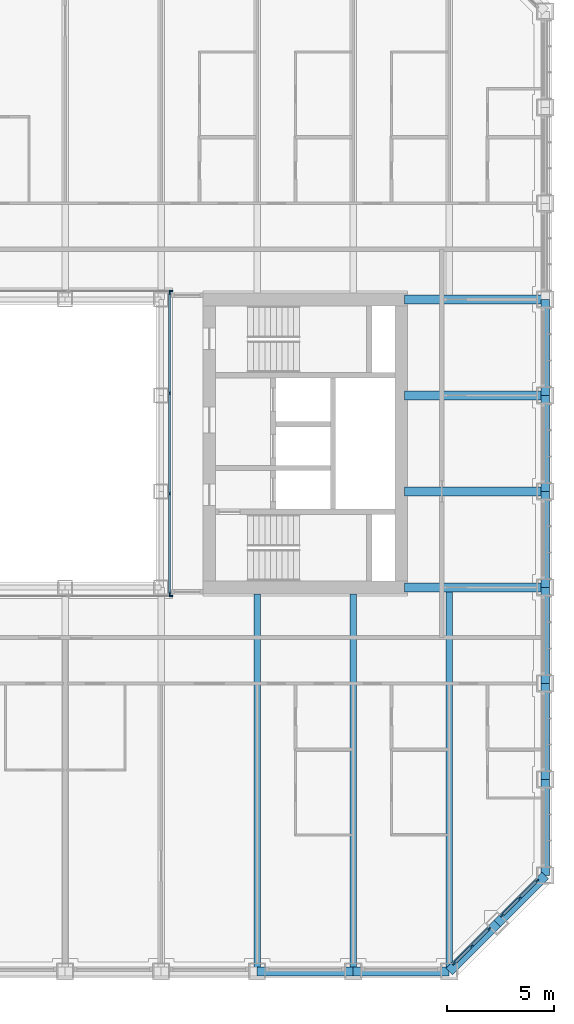
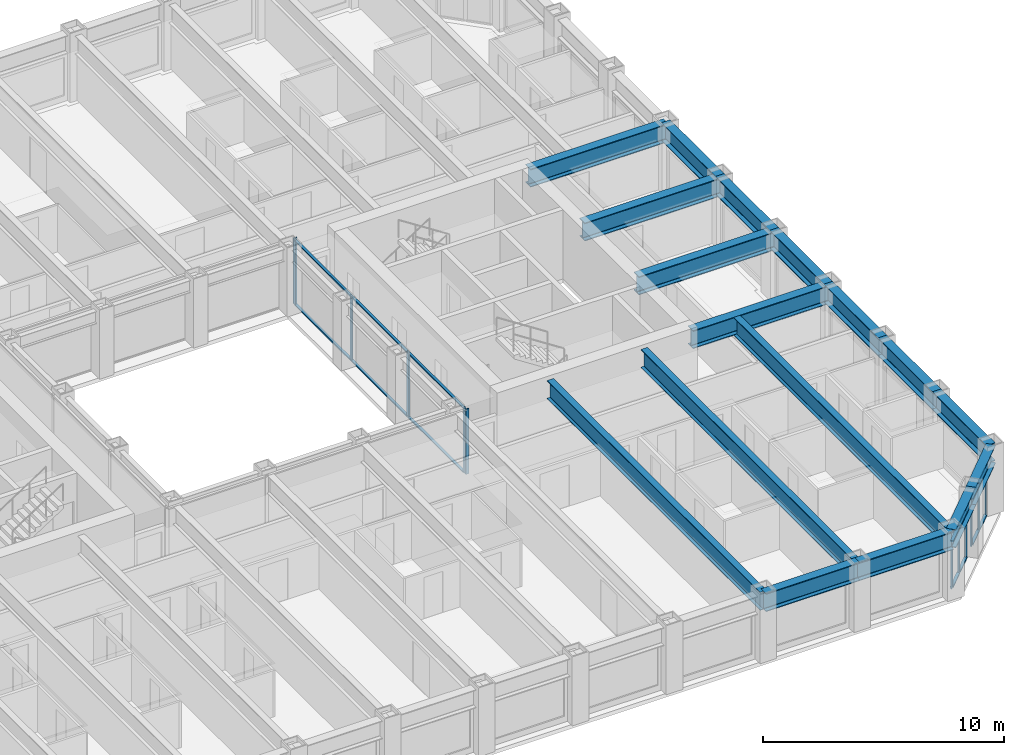
# One storey, part 5 of 21: 26 members, 17 beams, 5 elements without a shape of their own.
"""IFC4 building model written with IfcOpenShell, lengths in metres."""

from ifc_helpers import new_model, si_unit, direction, frame, origin, origin_2d, place, context, subcontext, project, spatial, rectangle, i_section, extrude, material, material_profile, profile_set, type_object, element, aggregate, save


model = new_model("IFC4")

# Units and contexts
model_context = context("Model", 3, precision=1e-05, world=origin(), true_north=direction((0.0, 1.0)))
body_context = subcontext(model_context, "Body", "Model", "MODEL_VIEW")
ifc_project = project(units=[si_unit("LENGTHUNIT", "METRE"), si_unit("AREAUNIT", "SQUARE_METRE"), si_unit("VOLUMEUNIT", "CUBIC_METRE"), si_unit("PLANEANGLEUNIT", "RADIAN"), si_unit("MASSUNIT", "GRAM", prefix="KILO")], contexts=[model_context])

# Site, building, storey
site_placement = place(None, origin())
site = spatial("IfcSite", under=ifc_project, at=site_placement, CompositionType="ELEMENT")
building_placement = place(site_placement, origin())
building = spatial("IfcBuilding", under=site, at=building_placement, Name="Msasa Ring Tower", CompositionType="ELEMENT")
storey_placement = place(building_placement, frame((0.0, 0.0, 86.0)))
storey = spatial("IfcBuildingStorey", under=building, at=storey_placement, Name="L22", CompositionType="ELEMENT", Elevation=86.0)

# Curtain wall, members
ifc_material_1 = material(Name="Aluminium curtain wall with clear glass", Category="aluminium")
curtain_wall_type_1 = type_object("IfcCurtainWallType", Name="CW-C CHAMFER CORNER CURTAIN WALL", PredefinedType="NOTDEFINED", material=ifc_material_1)
curtain_wall_1_placement = place(storey_placement, origin())
curtain_wall_1 = element("IfcCurtainWall", 1, at=curtain_wall_1_placement, inside=storey, type_object=curtain_wall_type_1, Name="Chamfer corner curtain wall SE L22", PredefinedType="NOTDEFINED")
ifc_material_2 = material(Name="Aluminium mullion", Category="aluminium")
ifc_material_profile_1 = material_profile(ifc_material_2, rectangle(XDim=0.06494140625, YDim=0.179931640625, at=origin_2d()), Name="AL 65x180")
ifc_profile_set_1 = profile_set([ifc_material_profile_1], Name="Aluminium mullion")
member_type_1 = type_object("IfcMemberType", Name="CW-C MULLION 65x180", PredefinedType="MULLION", material=ifc_profile_set_1)
member_1_placement = place(storey_placement, frame((20.48876953125, -24.369873046875, 0.0), z_axis=(0.0, 0.0, 1.0), x_axis=(-0.707106781187, 0.707106781187, 0.0)))
member_1 = element("IfcMember", 2, at=member_1_placement, type_object=member_type_1, Name="CW-C mullion 1", PredefinedType="MULLION", context=body_context, shape_type="SweptSolid", body=[
    extrude(rectangle(XDim=0.06494140625, YDim=0.179931640625, at=origin_2d()), origin(), (0.0, 0.0, 1.0), 2.37890625),
])
member_2_placement = place(storey_placement, frame((21.30419921875, -23.55419921875, 0.0), z_axis=(0.0, 0.0, 1.0), x_axis=(-0.707106781187, 0.707106781187, 0.0)))
member_2 = element("IfcMember", 3, at=member_2_placement, type_object=member_type_1, Name="CW-C mullion 2", PredefinedType="MULLION", context=body_context, shape_type="SweptSolid", body=[
    extrude(rectangle(XDim=0.06494140625, YDim=0.179931640625, at=origin_2d()), origin(), (0.0, 0.0, 1.0), 2.37890625),
])
member_3_placement = place(storey_placement, frame((22.119873046875, -22.73876953125, 0.0), z_axis=(0.0, 0.0, 1.0), x_axis=(-0.707106781187, 0.707106781187, 0.0)))
member_3 = element("IfcMember", 4, at=member_3_placement, type_object=member_type_1, Name="CW-C mullion 3", PredefinedType="MULLION", context=body_context, shape_type="SweptSolid", body=[
    extrude(rectangle(XDim=0.06494140625, YDim=0.179931640625, at=origin_2d()), origin(), (0.0, 0.0, 1.0), 2.37890625),
])

curtain_wall_2_placement = place(storey_placement, origin())
curtain_wall_2 = element("IfcCurtainWall", 5, at=curtain_wall_2_placement, inside=storey, type_object=curtain_wall_type_1, Name="Chamfer corner curtain wall SE L22", PredefinedType="NOTDEFINED")
member_4_placement = place(storey_placement, frame((22.73876953125, -22.119873046875, 0.0), z_axis=(0.0, 0.0, 1.0), x_axis=(-0.707106781187, 0.707106781187, 0.0)))
member_4 = element("IfcMember", 6, at=member_4_placement, type_object=member_type_1, Name="CW-C mullion 1", PredefinedType="MULLION", context=body_context, shape_type="SweptSolid", body=[
    extrude(rectangle(XDim=0.06494140625, YDim=0.179931640625, at=origin_2d()), origin(), (0.0, 0.0, 1.0), 2.37890625),
])
member_5_placement = place(storey_placement, frame((23.55419921875, -21.30419921875, 0.0), z_axis=(0.0, 0.0, 1.0), x_axis=(-0.707106781187, 0.707106781187, 0.0)))
member_5 = element("IfcMember", 7, at=member_5_placement, type_object=member_type_1, Name="CW-C mullion 2", PredefinedType="MULLION", context=body_context, shape_type="SweptSolid", body=[
    extrude(rectangle(XDim=0.06494140625, YDim=0.179931640625, at=origin_2d()), origin(), (0.0, 0.0, 1.0), 2.37890625),
])
member_6_placement = place(storey_placement, frame((24.369873046875, -20.48876953125, 0.0), z_axis=(0.0, 0.0, 1.0), x_axis=(-0.707106781187, 0.707106781187, 0.0)))
member_6 = element("IfcMember", 8, at=member_6_placement, type_object=member_type_1, Name="CW-C mullion 3", PredefinedType="MULLION", context=body_context, shape_type="SweptSolid", body=[
    extrude(rectangle(XDim=0.06494140625, YDim=0.179931640625, at=origin_2d()), origin(), (0.0, 0.0, 1.0), 2.37890625),
])

# Member
ifc_material_3 = material(Name="Aluminium transom", Category="aluminium")
ifc_material_profile_2 = material_profile(ifc_material_3, rectangle(XDim=0.139892578125, YDim=0.06494140625, at=origin_2d()), Name="AL 65x140")
ifc_profile_set_2 = profile_set([ifc_material_profile_2], Name="Aluminium transom")
member_type_2 = type_object("IfcMemberType", Name="CW-C TRANSOM 65x140", PredefinedType="USERDEFINED", material=ifc_profile_set_2)
member_7_placement = place(storey_placement, frame((20.51171875, -24.346923828125, 0.032470703125), z_axis=(0.707106781187, 0.707106781187, 0.0), x_axis=(-0.707106781187, 0.707106781187, 0.0)))
member_7 = element("IfcMember", 9, at=member_7_placement, type_object=member_type_2, Name="CW-C transom 1.1", ObjectType="TRANSOM", PredefinedType="USERDEFINED", context=body_context, shape_type="SweptSolid", body=[
    extrude(rectangle(XDim=0.139892578125, YDim=0.06494140625, at=origin_2d()), origin(), (0.0, 0.0, 1.0), 1.08837890625),
])

member_8_placement = place(storey_placement, frame((20.51171875, -24.346923828125, 2.346435546875), z_axis=(0.707106781187, 0.707106781187, 0.0), x_axis=(-0.707106781187, 0.707106781187, 0.0)))
member_8 = element("IfcMember", 10, at=member_8_placement, type_object=member_type_2, Name="CW-C transom 1.2", ObjectType="TRANSOM", PredefinedType="USERDEFINED", context=body_context, shape_type="SweptSolid", body=[
    extrude(rectangle(XDim=0.139892578125, YDim=0.06494140625, at=origin_2d()), origin(), (0.0, 0.0, 1.0), 1.08837890625),
])

member_9_placement = place(storey_placement, frame((21.327392578125, -23.53125, 0.032470703125), z_axis=(0.707106781187, 0.707106781187, 0.0), x_axis=(-0.707106781187, 0.707106781187, 0.0)))
member_9 = element("IfcMember", 11, at=member_9_placement, type_object=member_type_2, Name="CW-C transom 2.1", ObjectType="TRANSOM", PredefinedType="USERDEFINED", context=body_context, shape_type="SweptSolid", body=[
    extrude(rectangle(XDim=0.139892578125, YDim=0.06494140625, at=origin_2d()), origin(), (0.0, 0.0, 1.0), 1.08837890625),
])

member_10_placement = place(storey_placement, frame((21.327392578125, -23.53125, 2.346435546875), z_axis=(0.707106781187, 0.707106781187, 0.0), x_axis=(-0.707106781187, 0.707106781187, 0.0)))
member_10 = element("IfcMember", 12, at=member_10_placement, type_object=member_type_2, Name="CW-C transom 2.2", ObjectType="TRANSOM", PredefinedType="USERDEFINED", context=body_context, shape_type="SweptSolid", body=[
    extrude(rectangle(XDim=0.139892578125, YDim=0.06494140625, at=origin_2d()), origin(), (0.0, 0.0, 1.0), 1.08837890625),
])

aggregate(curtain_wall_1, [member_1, member_2, member_3, member_7, member_8, member_9, member_10])

member_11_placement = place(storey_placement, frame((22.76171875, -22.096923828125, 0.032470703125), z_axis=(0.707106781187, 0.707106781187, 0.0), x_axis=(-0.707106781187, 0.707106781187, 0.0)))
member_11 = element("IfcMember", 13, at=member_11_placement, type_object=member_type_2, Name="CW-C transom 1.1", ObjectType="TRANSOM", PredefinedType="USERDEFINED", context=body_context, shape_type="SweptSolid", body=[
    extrude(rectangle(XDim=0.139892578125, YDim=0.06494140625, at=origin_2d()), origin(), (0.0, 0.0, 1.0), 1.08837890625),
])

member_12_placement = place(storey_placement, frame((22.76171875, -22.096923828125, 2.346435546875), z_axis=(0.707106781187, 0.707106781187, 0.0), x_axis=(-0.707106781187, 0.707106781187, 0.0)))
member_12 = element("IfcMember", 14, at=member_12_placement, type_object=member_type_2, Name="CW-C transom 1.2", ObjectType="TRANSOM", PredefinedType="USERDEFINED", context=body_context, shape_type="SweptSolid", body=[
    extrude(rectangle(XDim=0.139892578125, YDim=0.06494140625, at=origin_2d()), origin(), (0.0, 0.0, 1.0), 1.08837890625),
])

member_13_placement = place(storey_placement, frame((23.577392578125, -21.28125, 0.032470703125), z_axis=(0.707106781187, 0.707106781187, 0.0), x_axis=(-0.707106781187, 0.707106781187, 0.0)))
member_13 = element("IfcMember", 15, at=member_13_placement, type_object=member_type_2, Name="CW-C transom 2.1", ObjectType="TRANSOM", PredefinedType="USERDEFINED", context=body_context, shape_type="SweptSolid", body=[
    extrude(rectangle(XDim=0.139892578125, YDim=0.06494140625, at=origin_2d()), origin(), (0.0, 0.0, 1.0), 1.08837890625),
])

member_14_placement = place(storey_placement, frame((23.577392578125, -21.28125, 2.346435546875), z_axis=(0.707106781187, 0.707106781187, 0.0), x_axis=(-0.707106781187, 0.707106781187, 0.0)))
member_14 = element("IfcMember", 16, at=member_14_placement, type_object=member_type_2, Name="CW-C transom 2.2", ObjectType="TRANSOM", PredefinedType="USERDEFINED", context=body_context, shape_type="SweptSolid", body=[
    extrude(rectangle(XDim=0.139892578125, YDim=0.06494140625, at=origin_2d()), origin(), (0.0, 0.0, 1.0), 1.08837890625),
])

aggregate(curtain_wall_2, [member_4, member_5, member_6, member_11, member_12, member_13, member_14])

# Curtain wall, member
ifc_material_4 = material(Name="Aluminium curtain wall with clear glass", Category="aluminium")
curtain_wall_type_2 = type_object("IfcCurtainWallType", Name="CW-W LIGHT WELL CURTAIN WALL", PredefinedType="NOTDEFINED", material=ifc_material_4)
curtain_wall_3_placement = place(storey_placement, origin())
curtain_wall_3 = element("IfcCurtainWall", 17, at=curtain_wall_3_placement, inside=storey, type_object=curtain_wall_type_2, Name="Light well curtain wall N L22", PredefinedType="NOTDEFINED")
ifc_material_5 = material(Name="Aluminium mullion", Category="aluminium")
ifc_material_profile_3 = material_profile(ifc_material_5, rectangle(XDim=0.06005859375, YDim=0.159912109375, at=origin_2d()), Name="AL 60x160")
ifc_profile_set_3 = profile_set([ifc_material_profile_3], Name="Aluminium mullion")
member_type_3 = type_object("IfcMemberType", Name="CW-W MULLION 60x160", PredefinedType="MULLION", material=ifc_profile_set_3)
member_15_placement = place(storey_placement, frame((7.199951171875, 7.14990234375, 0.0), z_axis=(0.0, 0.0, 1.0), x_axis=(0.0, 1.0, 0.0)))
member_15 = element("IfcMember", 18, at=member_15_placement, type_object=member_type_3, Name="CW-W mullion 4", PredefinedType="MULLION", context=body_context, shape_type="SweptSolid", body=[
    extrude(rectangle(XDim=0.06005859375, YDim=0.159912109375, at=origin_2d()), origin(), (0.0, 0.0, 1.0), 3.300048828125),
])
aggregate(curtain_wall_3, [member_15])

curtain_wall_4_placement = place(storey_placement, origin())
curtain_wall_4 = element("IfcCurtainWall", 19, at=curtain_wall_4_placement, inside=storey, type_object=curtain_wall_type_2, Name="Light well curtain wall S L22", PredefinedType="NOTDEFINED")
member_16_placement = place(storey_placement, frame((7.199951171875, -7.14990234375, 0.0), z_axis=(0.0, 0.0, 1.0), x_axis=(0.0, 1.0, 0.0)))
member_16 = element("IfcMember", 20, at=member_16_placement, type_object=member_type_3, Name="CW-W mullion 4", PredefinedType="MULLION", context=body_context, shape_type="SweptSolid", body=[
    extrude(rectangle(XDim=0.06005859375, YDim=0.159912109375, at=origin_2d()), origin(), (0.0, 0.0, 1.0), 3.300048828125),
])
aggregate(curtain_wall_4, [member_16])

# Curtain wall, members
curtain_wall_5_placement = place(storey_placement, origin())
curtain_wall_5 = element("IfcCurtainWall", 21, at=curtain_wall_5_placement, inside=storey, type_object=curtain_wall_type_2, Name="Light well curtain wall E L22", PredefinedType="NOTDEFINED")
member_17_placement = place(storey_placement, frame((7.14990234375, -7.0400390625, 0.0), z_axis=(0.0, 0.0, 1.0), x_axis=(-1.0, 0.0, 0.0)))
member_17 = element("IfcMember", 22, at=member_17_placement, type_object=member_type_3, Name="CW-W mullion 1", PredefinedType="MULLION", context=body_context, shape_type="SweptSolid", body=[
    extrude(rectangle(XDim=0.06005859375, YDim=0.159912109375, at=origin_2d()), origin(), (0.0, 0.0, 1.0), 3.300048828125),
])
member_18_placement = place(storey_placement, frame((7.14990234375, -2.356689453125, 0.0), z_axis=(0.0, 0.0, 1.0), x_axis=(-1.0, 0.0, 0.0)))
member_18 = element("IfcMember", 23, at=member_18_placement, type_object=member_type_3, Name="CW-W mullion 2", PredefinedType="MULLION", context=body_context, shape_type="SweptSolid", body=[
    extrude(rectangle(XDim=0.06005859375, YDim=0.159912109375, at=origin_2d()), origin(), (0.0, 0.0, 1.0), 3.300048828125),
])
member_19_placement = place(storey_placement, frame((7.14990234375, 2.356689453125, 0.0), z_axis=(0.0, 0.0, 1.0), x_axis=(-1.0, 0.0, 0.0)))
member_19 = element("IfcMember", 24, at=member_19_placement, type_object=member_type_3, Name="CW-W mullion 3", PredefinedType="MULLION", context=body_context, shape_type="SweptSolid", body=[
    extrude(rectangle(XDim=0.06005859375, YDim=0.159912109375, at=origin_2d()), origin(), (0.0, 0.0, 1.0), 3.300048828125),
])
member_20_placement = place(storey_placement, frame((7.14990234375, 7.0400390625, 0.0), z_axis=(0.0, 0.0, 1.0), x_axis=(-1.0, 0.0, 0.0)))
member_20 = element("IfcMember", 25, at=member_20_placement, type_object=member_type_3, Name="CW-W mullion 4", PredefinedType="MULLION", context=body_context, shape_type="SweptSolid", body=[
    extrude(rectangle(XDim=0.06005859375, YDim=0.159912109375, at=origin_2d()), origin(), (0.0, 0.0, 1.0), 3.300048828125),
])
ifc_material_6 = material(Name="Aluminium transom", Category="aluminium")
ifc_material_profile_4 = material_profile(ifc_material_6, rectangle(XDim=0.1201171875, YDim=0.06005859375, at=origin_2d()), Name="AL 60x120")
ifc_profile_set_4 = profile_set([ifc_material_profile_4], Name="Aluminium transom")
member_type_4 = type_object("IfcMemberType", Name="CW-W TRANSOM 60x120", PredefinedType="USERDEFINED", material=ifc_profile_set_4)
member_21_placement = place(storey_placement, frame((7.14990234375, -7.010009765625, 0.030029296875), z_axis=(0.0, 1.0, 0.0), x_axis=(-1.0, 0.0, 0.0)))
member_21 = element("IfcMember", 26, at=member_21_placement, type_object=member_type_4, Name="CW-W transom 1.1", ObjectType="TRANSOM", PredefinedType="USERDEFINED", context=body_context, shape_type="SweptSolid", body=[
    extrude(rectangle(XDim=0.1201171875, YDim=0.06005859375, at=origin_2d()), origin(), (0.0, 0.0, 1.0), 4.623291015625),
])
member_22_placement = place(storey_placement, frame((7.14990234375, -7.010009765625, 3.27001953125), z_axis=(0.0, 1.0, 0.0), x_axis=(-1.0, 0.0, 0.0)))
member_22 = element("IfcMember", 27, at=member_22_placement, type_object=member_type_4, Name="CW-W transom 1.2", ObjectType="TRANSOM", PredefinedType="USERDEFINED", context=body_context, shape_type="SweptSolid", body=[
    extrude(rectangle(XDim=0.1201171875, YDim=0.06005859375, at=origin_2d()), origin(), (0.0, 0.0, 1.0), 4.623291015625),
])
member_23_placement = place(storey_placement, frame((7.14990234375, -2.32666015625, 0.030029296875), z_axis=(0.0, 1.0, 0.0), x_axis=(-1.0, 0.0, 0.0)))
member_23 = element("IfcMember", 28, at=member_23_placement, type_object=member_type_4, Name="CW-W transom 2.1", ObjectType="TRANSOM", PredefinedType="USERDEFINED", context=body_context, shape_type="SweptSolid", body=[
    extrude(rectangle(XDim=0.1201171875, YDim=0.06005859375, at=origin_2d()), origin(), (0.0, 0.0, 1.0), 4.6533203125),
])
member_24_placement = place(storey_placement, frame((7.14990234375, -2.32666015625, 3.27001953125), z_axis=(0.0, 1.0, 0.0), x_axis=(-1.0, 0.0, 0.0)))
member_24 = element("IfcMember", 29, at=member_24_placement, type_object=member_type_4, Name="CW-W transom 2.2", ObjectType="TRANSOM", PredefinedType="USERDEFINED", context=body_context, shape_type="SweptSolid", body=[
    extrude(rectangle(XDim=0.1201171875, YDim=0.06005859375, at=origin_2d()), origin(), (0.0, 0.0, 1.0), 4.6533203125),
])
member_25_placement = place(storey_placement, frame((7.14990234375, 2.38671875, 0.030029296875), z_axis=(0.0, 1.0, 0.0), x_axis=(-1.0, 0.0, 0.0)))
member_25 = element("IfcMember", 30, at=member_25_placement, type_object=member_type_4, Name="CW-W transom 3.1", ObjectType="TRANSOM", PredefinedType="USERDEFINED", context=body_context, shape_type="SweptSolid", body=[
    extrude(rectangle(XDim=0.1201171875, YDim=0.06005859375, at=origin_2d()), origin(), (0.0, 0.0, 1.0), 4.623291015625),
])
member_26_placement = place(storey_placement, frame((7.14990234375, 2.38671875, 3.27001953125), z_axis=(0.0, 1.0, 0.0), x_axis=(-1.0, 0.0, 0.0)))
member_26 = element("IfcMember", 31, at=member_26_placement, type_object=member_type_4, Name="CW-W transom 3.2", ObjectType="TRANSOM", PredefinedType="USERDEFINED", context=body_context, shape_type="SweptSolid", body=[
    extrude(rectangle(XDim=0.1201171875, YDim=0.06005859375, at=origin_2d()), origin(), (0.0, 0.0, 1.0), 4.623291015625),
])
aggregate(curtain_wall_5, [member_17, member_18, member_19, member_20, member_21, member_22, member_23, member_24, member_25, member_26])

# Beams
ifc_material_7 = material(Name="Steel S355", Category="steel")
ifc_material_profile_5 = material_profile(ifc_material_7, i_section(OverallWidth=0.42041015625, OverallDepth=0.9208984375, WebThickness=0.021484375, FlangeThickness=0.03662109375, FilletRadius=0.024169921875, at=origin_2d()), Name="UB 914x419x388")
ifc_profile_set_5 = profile_set([ifc_material_profile_5], Name="Steel S355")
beam_type_1 = type_object("IfcBeamType", Name="FB2 UB 914x419x388", PredefinedType="BEAM", material=ifc_profile_set_5)
for number, where, z_axis, x_axis, name in (
    (32, (24.75, -2.25, 2.839599609375), (-1.0, 0.0, 0.0), (0.0, -1.0, 0.0), "Floor beam E -2.25 under L23"),
    (33, (24.75, 2.25, 2.839599609375), (-1.0, 0.0, 0.0), (0.0, -1.0, 0.0), "Floor beam E +2.25 under L23"),
):
    element("IfcBeam", number, at=place(storey_placement, frame(where, z_axis=z_axis, x_axis=x_axis)), inside=storey, type_object=beam_type_1, Name=name, PredefinedType="BEAM", context=body_context, shape_type="SweptSolid", body=[
        extrude(i_section(OverallWidth=0.42041015625, OverallDepth=0.9208984375, WebThickness=0.021484375, FlangeThickness=0.03662109375, FilletRadius=0.024169921875, at=origin_2d()), origin(), (0.0, 0.0, 1.0), 6.60009765625),
    ])
ifc_material_8 = material(Name="Steel S355", Category="steel")
ifc_material_profile_6 = material_profile(ifc_material_8, i_section(OverallWidth=0.3076171875, OverallDepth=0.926513671875, WebThickness=0.01953125, FlangeThickness=0.031982421875, FilletRadius=0.01904296875, at=origin_2d()), Name="UB 914x305x289")
ifc_profile_set_6 = profile_set([ifc_material_profile_6], Name="Steel S355")
beam_type_2 = type_object("IfcBeamType", Name="FB3 UB 914x305x289", PredefinedType="BEAM", material=ifc_profile_set_6)
for number, where, z_axis, x_axis, name in (
    (34, (11.25, -24.75, 2.836669921875), (0.0, 1.0, 0.0), (-1.0, 0.0, 0.0), "Floor beam S+11.25 under L23"),
    (35, (15.75, -24.75, 2.836669921875), (0.0, 1.0, 0.0), (-1.0, 0.0, 0.0), "Floor beam S+15.75 under L23"),
):
    element("IfcBeam", number, at=place(storey_placement, frame(where, z_axis=z_axis, x_axis=x_axis)), inside=storey, type_object=beam_type_2, Name=name, PredefinedType="BEAM", context=body_context, shape_type="SweptSolid", body=[
        extrude(i_section(OverallWidth=0.3076171875, OverallDepth=0.926513671875, WebThickness=0.01953125, FlangeThickness=0.031982421875, FilletRadius=0.01904296875, at=origin_2d()), origin(), (0.0, 0.0, 1.0), 17.699951171875),
    ])
beam_placement = place(storey_placement, frame((20.25, -24.75, 2.836669921875), z_axis=(0.0, 1.0, 0.0), x_axis=(-1.0, 0.0, 0.0)))
element("IfcBeam", 36, at=beam_placement, inside=storey, type_object=beam_type_2, Name="Floor beam S+20.25 under L23", PredefinedType="BEAM", context=body_context, shape_type="SweptSolid", body=[
    extrude(i_section(OverallWidth=0.3076171875, OverallDepth=0.926513671875, WebThickness=0.01953125, FlangeThickness=0.031982421875, FilletRadius=0.01904296875, at=origin_2d()), origin(), (0.0, 0.0, 1.0), 17.789794921875),
])
ifc_material_9 = material(Name="Steel S355", Category="steel")
ifc_material_profile_7 = material_profile(ifc_material_9, i_section(OverallWidth=0.42041015625, OverallDepth=0.9208984375, WebThickness=0.021484375, FlangeThickness=0.03662109375, FilletRadius=0.024169921875, at=origin_2d()), Name="UB 914x419x388")
ifc_profile_set_7 = profile_set([ifc_material_profile_7], Name="Steel S355")
beam_type_3 = type_object("IfcBeamType", Name="GB1 UB 914x419x388", PredefinedType="BEAM", material=ifc_profile_set_7)
for number, where, z_axis, x_axis, name in (
    (37, (18.14990234375, 6.75, 2.839599609375), (1.0, 0.0, 0.0), (0.0, 1.0, 0.0), "Girder E +6.75 under L23"),
    (38, (18.14990234375, -6.75, 2.839599609375), (1.0, 0.0, 0.0), (0.0, 1.0, 0.0), "Girder E -6.75 under L23"),
):
    element("IfcBeam", number, at=place(storey_placement, frame(where, z_axis=z_axis, x_axis=x_axis)), inside=storey, type_object=beam_type_3, Name=name, PredefinedType="BEAM", context=body_context, shape_type="SweptSolid", body=[
        extrude(i_section(OverallWidth=0.42041015625, OverallDepth=0.9208984375, WebThickness=0.021484375, FlangeThickness=0.03662109375, FilletRadius=0.024169921875, at=origin_2d()), origin(), (0.0, 0.0, 1.0), 6.60009765625),
    ])
ifc_material_10 = material(Name="Steel S355", Category="steel")
ifc_material_profile_8 = material_profile(ifc_material_10, i_section(OverallWidth=0.42041015625, OverallDepth=0.9208984375, WebThickness=0.021484375, FlangeThickness=0.03662109375, FilletRadius=0.024169921875, at=origin_2d()), Name="UB 914x419x388")
ifc_profile_set_8 = profile_set([ifc_material_profile_8], Name="Steel S355")
beam_type_4 = type_object("IfcBeamType", Name="SB1 UB 914x419x388", PredefinedType="SPANDREL", material=ifc_profile_set_8)
for number, where, z_axis, x_axis, name in (
    (39, (11.25, -24.75, 2.839599609375), (1.0, 0.0, 0.0), (0.0, 1.0, 0.0), "Spandrel S+11.25 to S+15.75 under L23"),
    (40, (15.75, -24.75, 2.839599609375), (1.0, 0.0, 0.0), (0.0, 1.0, 0.0), "Spandrel S+15.75 to S+20.25 under L23"),
):
    element("IfcBeam", number, at=place(storey_placement, frame(where, z_axis=z_axis, x_axis=x_axis)), inside=storey, type_object=beam_type_4, Name=name, PredefinedType="SPANDREL", context=body_context, shape_type="SweptSolid", body=[
        extrude(i_section(OverallWidth=0.42041015625, OverallDepth=0.9208984375, WebThickness=0.021484375, FlangeThickness=0.03662109375, FilletRadius=0.024169921875, at=origin_2d()), origin(), (0.0, 0.0, 1.0), 4.5),
    ])
for number, where, z_axis, x_axis, name in (
    (41, (20.25, -24.75, 2.839599609375), (0.707106781187, 0.707106781187, 0.0), (-0.707106781187, 0.707106781187, 0.0), "Spandrel S+20.25 to SE under L23"),
    (42, (22.5, -22.5, 2.839599609375), (0.707106781187, 0.707106781187, 0.0), (-0.707106781187, 0.707106781187, 0.0), "Spandrel SE to E-20.25 under L23"),
):
    element("IfcBeam", number, at=place(storey_placement, frame(where, z_axis=z_axis, x_axis=x_axis)), inside=storey, type_object=beam_type_4, Name=name, PredefinedType="SPANDREL", context=body_context, shape_type="SweptSolid", body=[
        extrude(i_section(OverallWidth=0.42041015625, OverallDepth=0.9208984375, WebThickness=0.021484375, FlangeThickness=0.03662109375, FilletRadius=0.024169921875, at=origin_2d()), origin(), (0.0, 0.0, 1.0), 3.181884765625),
    ])
for number, where, z_axis, x_axis, name in (
    (43, (24.75, -20.25, 2.839599609375), (0.0, 1.0, 0.0), (-1.0, 0.0, 0.0), "Spandrel E-20.25 to E-15.75 under L23"),
    (44, (24.75, -15.75, 2.839599609375), (0.0, 1.0, 0.0), (-1.0, 0.0, 0.0), "Spandrel E-15.75 to E-11.25 under L23"),
    (45, (24.75, -11.25, 2.839599609375), (0.0, 1.0, 0.0), (-1.0, 0.0, 0.0), "Spandrel E-11.25 to E-6.75 under L23"),
    (46, (24.75, -6.75, 2.839599609375), (0.0, 1.0, 0.0), (-1.0, 0.0, 0.0), "Spandrel E-6.75 to E-2.25 under L23"),
    (47, (24.75, -2.25, 2.839599609375), (0.0, 1.0, 0.0), (-1.0, 0.0, 0.0), "Spandrel E-2.25 to E+2.25 under L23"),
    (48, (24.75, 2.25, 2.839599609375), (0.0, 1.0, 0.0), (-1.0, 0.0, 0.0), "Spandrel E+2.25 to E+6.75 under L23"),
):
    element("IfcBeam", number, at=place(storey_placement, frame(where, z_axis=z_axis, x_axis=x_axis)), inside=storey, type_object=beam_type_4, Name=name, PredefinedType="SPANDREL", context=body_context, shape_type="SweptSolid", body=[
        extrude(i_section(OverallWidth=0.42041015625, OverallDepth=0.9208984375, WebThickness=0.021484375, FlangeThickness=0.03662109375, FilletRadius=0.024169921875, at=origin_2d()), origin(), (0.0, 0.0, 1.0), 4.5),
    ])

save(model, "model.ifc")
